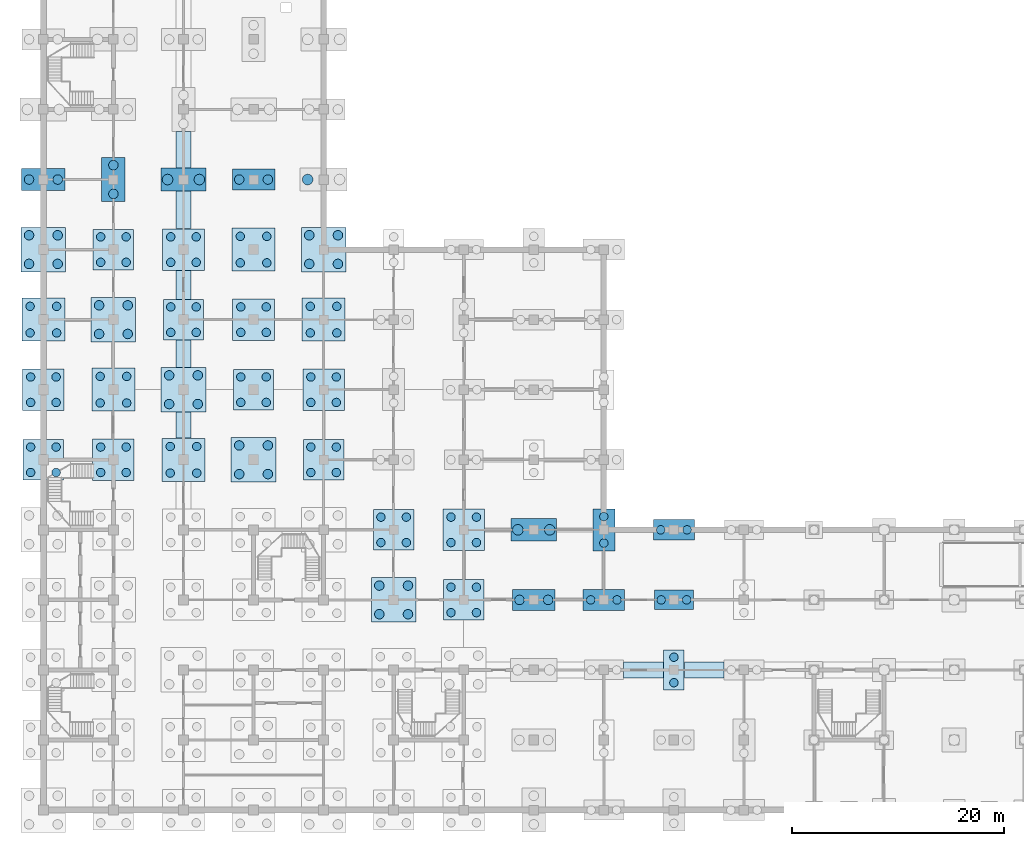
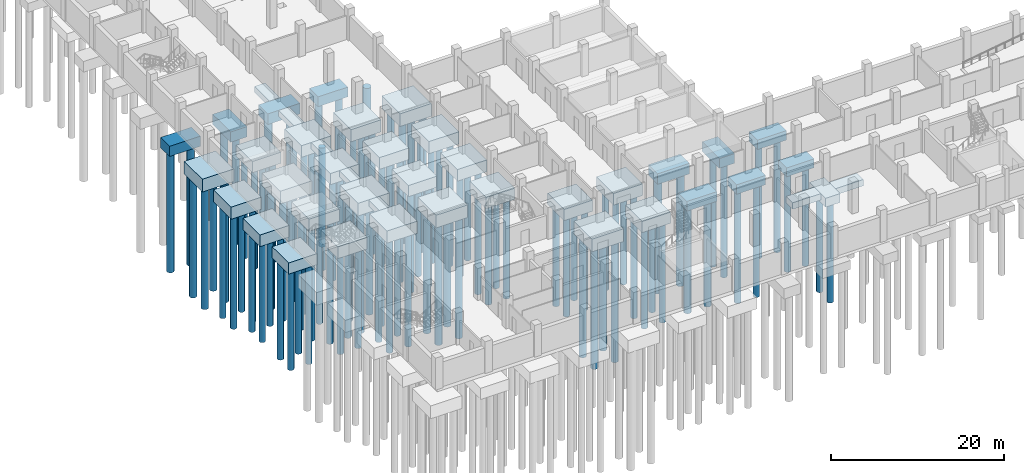
# One storey, part 2 of 18: 119 piles, 42 footings.
"""IFC4 building model written with IfcOpenShell, lengths in metres."""

from ifc_helpers import new_model, si_unit, direction, frame, origin, origin_2d, place, context, subcontext, project, spatial, rectangle, circle, extrude, material, material_profile, profile_set, type_object, element, save


model = new_model("IFC4")

# Units and contexts
model_context = context("Model", 3, precision=1e-05, world=origin(), true_north=direction((0.0, 1.0)))
body_context = subcontext(model_context, "Body", "Model", "MODEL_VIEW")
ifc_project = project(units=[si_unit("LENGTHUNIT", "METRE"), si_unit("AREAUNIT", "SQUARE_METRE"), si_unit("VOLUMEUNIT", "CUBIC_METRE"), si_unit("PLANEANGLEUNIT", "RADIAN"), si_unit("MASSUNIT", "GRAM", prefix="KILO")], contexts=[model_context])

# Site, building, storey
site_placement = place(None, origin())
site = spatial("IfcSite", under=ifc_project, at=site_placement, CompositionType="ELEMENT")
building_placement = place(site_placement, origin())
building = spatial("IfcBuilding", under=site, at=building_placement, Name="Rusizi Kubbe Research Institute", CompositionType="ELEMENT")
storey_placement = place(building_placement, frame((0.0, 0.0, -4.5)))
storey = spatial("IfcBuildingStorey", under=building, at=storey_placement, Name="B01", CompositionType="ELEMENT", Elevation=-4.5)

# Piles
ifc_material_1 = material(Name="Concrete C40/50", Category="concrete")
ifc_material_profile_1 = material_profile(ifc_material_1, circle(Radius=0.39990234375, at=origin_2d()), Name="PILE-D800")
ifc_profile_set_1 = profile_set([ifc_material_profile_1], Name="Concrete C40/50")
pile_type_1 = type_object("IfcPileType", Name="P-01", PredefinedType="BORED", material=ifc_profile_set_1)
for number, where, z_axis, x_axis, name in (
    (1, (-1.199951171875, 31.800048828125, -2.280029296875), (0.0, 0.0, -1.0), (1.0, 0.0, 0.0), "Bored Pile P-01 (0,5)-1"),
    (2, (1.199951171875, 31.800048828125, -2.280029296875), (0.0, 0.0, -1.0), (1.0, 0.0, 0.0), "Bored Pile P-01 (0,5)-2"),
    (3, (-1.199951171875, 34.199951171875, -2.280029296875), (0.0, 0.0, -1.0), (1.0, 0.0, 0.0), "Bored Pile P-01 (0,5)-3"),
    (4, (1.199951171875, 34.199951171875, -2.280029296875), (0.0, 0.0, -1.0), (1.0, 0.0, 0.0), "Bored Pile P-01 (0,5)-4"),
    (5, (-1.199951171875, 38.39990234375, -2.35009765625), (0.0, 0.0, -1.0), (1.0, 0.0, 0.0), "Bored Pile P-01 (0,6)-1"),
    (6, (1.199951171875, 38.39990234375, -2.35009765625), (0.0, 0.0, -1.0), (1.0, 0.0, 0.0), "Bored Pile P-01 (0,6)-2"),
    (7, (-1.199951171875, 40.800048828125, -2.35009765625), (0.0, 0.0, -1.0), (1.0, 0.0, 0.0), "Bored Pile P-01 (0,6)-3"),
    (8, (1.199951171875, 40.800048828125, -2.35009765625), (0.0, 0.0, -1.0), (1.0, 0.0, 0.0), "Bored Pile P-01 (0,6)-4"),
    (9, (5.39990234375, 31.800048828125, -2.35009765625), (0.0, 0.0, -1.0), (1.0, 0.0, 0.0), "Bored Pile P-01 (1,5)-1"),
    (10, (7.800048828125, 31.800048828125, -2.35009765625), (0.0, 0.0, -1.0), (1.0, 0.0, 0.0), "Bored Pile P-01 (1,5)-2"),
    (11, (5.39990234375, 34.199951171875, -2.35009765625), (0.0, 0.0, -1.0), (1.0, 0.0, 0.0), "Bored Pile P-01 (1,5)-3"),
    (12, (7.800048828125, 34.199951171875, -2.35009765625), (0.0, 0.0, -1.0), (1.0, 0.0, 0.0), "Bored Pile P-01 (1,5)-4"),
    (13, (5.39990234375, 51.60009765625, -2.280029296875), (0.0, 0.0, -1.0), (1.0, 0.0, 0.0), "Bored Pile P-01 (1,8)-1"),
    (14, (7.800048828125, 51.60009765625, -2.280029296875), (0.0, 0.0, -1.0), (1.0, 0.0, 0.0), "Bored Pile P-01 (1,8)-2"),
    (15, (5.39990234375, 54.0, -2.280029296875), (0.0, 0.0, -1.0), (1.0, 0.0, 0.0), "Bored Pile P-01 (1,8)-3"),
    (16, (7.800048828125, 54.0, -2.280029296875), (0.0, 0.0, -1.0), (1.0, 0.0, 0.0), "Bored Pile P-01 (1,8)-4"),
    (17, (12.0, 45.0, -2.280029296875), (0.0, 0.0, -1.0), (1.0, 0.0, 0.0), "Bored Pile P-01 (2,7)-1"),
    (18, (14.39990234375, 45.0, -2.280029296875), (0.0, 0.0, -1.0), (1.0, 0.0, 0.0), "Bored Pile P-01 (2,7)-2"),
    (19, (12.0, 47.39990234375, -2.280029296875), (0.0, 0.0, -1.0), (1.0, 0.0, 0.0), "Bored Pile P-01 (2,7)-3"),
    (20, (14.39990234375, 47.39990234375, -2.280029296875), (0.0, 0.0, -1.0), (1.0, 0.0, 0.0), "Bored Pile P-01 (2,7)-4"),
    (21, (12.0, 51.60009765625, -2.35009765625), (0.0, 0.0, -1.0), (1.0, 0.0, 0.0), "Bored Pile P-01 (2,8)-1"),
    (22, (14.39990234375, 51.60009765625, -2.35009765625), (0.0, 0.0, -1.0), (1.0, 0.0, 0.0), "Bored Pile P-01 (2,8)-2"),
    (23, (12.0, 54.0, -2.35009765625), (0.0, 0.0, -1.0), (1.0, 0.0, 0.0), "Bored Pile P-01 (2,8)-3"),
    (24, (14.39990234375, 54.0, -2.35009765625), (0.0, 0.0, -1.0), (1.0, 0.0, 0.0), "Bored Pile P-01 (2,8)-4"),
    (25, (18.60009765625, 38.39990234375, -2.280029296875), (0.0, 0.0, -1.0), (1.0, 0.0, 0.0), "Bored Pile P-01 (3,6)-1"),
    (26, (21.0, 38.39990234375, -2.280029296875), (0.0, 0.0, -1.0), (1.0, 0.0, 0.0), "Bored Pile P-01 (3,6)-2"),
    (27, (18.60009765625, 40.800048828125, -2.280029296875), (0.0, 0.0, -1.0), (1.0, 0.0, 0.0), "Bored Pile P-01 (3,6)-3"),
    (28, (21.0, 40.800048828125, -2.280029296875), (0.0, 0.0, -1.0), (1.0, 0.0, 0.0), "Bored Pile P-01 (3,6)-4"),
    (29, (18.60009765625, 45.0, -2.35009765625), (0.0, 0.0, -1.0), (1.0, 0.0, 0.0), "Bored Pile P-01 (3,7)-1"),
    (30, (21.0, 45.0, -2.35009765625), (0.0, 0.0, -1.0), (1.0, 0.0, 0.0), "Bored Pile P-01 (3,7)-2"),
    (31, (18.60009765625, 47.39990234375, -2.35009765625), (0.0, 0.0, -1.0), (1.0, 0.0, 0.0), "Bored Pile P-01 (3,7)-3"),
    (32, (21.0, 47.39990234375, -2.35009765625), (0.0, 0.0, -1.0), (1.0, 0.0, 0.0), "Bored Pile P-01 (3,7)-4"),
    (33, (25.199951171875, 31.800048828125, -2.280029296875), (0.0, 0.0, -1.0), (1.0, 0.0, 0.0), "Bored Pile P-01 (4,5)-1"),
    (34, (27.60009765625, 31.800048828125, -2.280029296875), (0.0, 0.0, -1.0), (1.0, 0.0, 0.0), "Bored Pile P-01 (4,5)-2"),
    (35, (25.199951171875, 34.199951171875, -2.280029296875), (0.0, 0.0, -1.0), (1.0, 0.0, 0.0), "Bored Pile P-01 (4,5)-3"),
    (36, (27.60009765625, 34.199951171875, -2.280029296875), (0.0, 0.0, -1.0), (1.0, 0.0, 0.0), "Bored Pile P-01 (4,5)-4"),
    (37, (25.199951171875, 38.39990234375, -2.35009765625), (0.0, 0.0, -1.0), (1.0, 0.0, 0.0), "Bored Pile P-01 (4,6)-1"),
    (38, (27.60009765625, 38.39990234375, -2.35009765625), (0.0, 0.0, -1.0), (1.0, 0.0, 0.0), "Bored Pile P-01 (4,6)-2"),
    (39, (25.199951171875, 40.800048828125, -2.35009765625), (0.0, 0.0, -1.0), (1.0, 0.0, 0.0), "Bored Pile P-01 (4,6)-3"),
    (40, (27.60009765625, 40.800048828125, -2.35009765625), (0.0, 0.0, -1.0), (1.0, 0.0, 0.0), "Bored Pile P-01 (4,6)-4"),
    (41, (31.800048828125, 25.199951171875, -2.280029296875), (0.0, 0.0, -1.0), (1.0, 0.0, 0.0), "Bored Pile P-01 (5,4)-1"),
    (42, (34.199951171875, 25.199951171875, -2.280029296875), (0.0, 0.0, -1.0), (1.0, 0.0, 0.0), "Bored Pile P-01 (5,4)-2"),
    (43, (31.800048828125, 27.60009765625, -2.280029296875), (0.0, 0.0, -1.0), (1.0, 0.0, 0.0), "Bored Pile P-01 (5,4)-3"),
    (44, (34.199951171875, 27.60009765625, -2.280029296875), (0.0, 0.0, -1.0), (1.0, 0.0, 0.0), "Bored Pile P-01 (5,4)-4"),
    (45, (38.39990234375, 18.60009765625, -2.280029296875), (0.0, 0.0, -1.0), (1.0, 0.0, 0.0), "Bored Pile P-01 (6,3)-1"),
    (46, (40.800048828125, 18.60009765625, -2.280029296875), (0.0, 0.0, -1.0), (1.0, 0.0, 0.0), "Bored Pile P-01 (6,3)-2"),
    (47, (38.39990234375, 21.0, -2.280029296875), (0.0, 0.0, -1.0), (1.0, 0.0, 0.0), "Bored Pile P-01 (6,3)-3"),
    (48, (40.800048828125, 21.0, -2.280029296875), (0.0, 0.0, -1.0), (1.0, 0.0, 0.0), "Bored Pile P-01 (6,3)-4"),
    (49, (38.39990234375, 25.199951171875, -2.35009765625), (0.0, 0.0, -1.0), (1.0, 0.0, 0.0), "Bored Pile P-01 (6,4)-1"),
    (50, (40.800048828125, 25.199951171875, -2.35009765625), (0.0, 0.0, -1.0), (1.0, 0.0, 0.0), "Bored Pile P-01 (6,4)-2"),
    (51, (38.39990234375, 27.60009765625, -2.35009765625), (0.0, 0.0, -1.0), (1.0, 0.0, 0.0), "Bored Pile P-01 (6,4)-3"),
    (52, (40.800048828125, 27.60009765625, -2.35009765625), (0.0, 0.0, -1.0), (1.0, 0.0, 0.0), "Bored Pile P-01 (6,4)-4"),
    (53, (59.39990234375, 12.0, -1.9599609375), (0.0, 0.0, -1.0), (1.0, 0.0, 0.0), "Bored Pile P-01 (9,2)-1"),
    (54, (59.39990234375, 14.39990234375, -1.9599609375), (0.0, 0.0, -1.0), (1.0, 0.0, 0.0), "Bored Pile P-01 (9,2)-2"),
    (55, (58.199951171875, 19.800048828125, -1.93994140625), (0.0, 0.0, -1.0), (1.0, 0.0, 0.0), "Bored Pile P-01 (9,3)-1"),
    (56, (60.60009765625, 19.800048828125, -1.93994140625), (0.0, 0.0, -1.0), (1.0, 0.0, 0.0), "Bored Pile P-01 (9,3)-2"),
):
    element("IfcPile", number, at=place(storey_placement, frame(where, z_axis=z_axis, x_axis=x_axis)), inside=storey, type_object=pile_type_1, Name=name, PredefinedType="BORED", context=body_context, shape_type="SweptSolid", body=[
        extrude(circle(Radius=0.39990234375, at=origin_2d()), origin(), (0.0, 0.0, 1.0), 14.0),
    ])
ifc_material_2 = material(Name="Concrete C40/50", Category="concrete")
ifc_material_profile_2 = material_profile(ifc_material_2, circle(Radius=0.39990234375, at=origin_2d()), Name="PILE-D800")
ifc_profile_set_2 = profile_set([ifc_material_profile_2], Name="Concrete C40/50")
pile_type_2 = type_object("IfcPileType", Name="P-02", PredefinedType="BORED", material=ifc_profile_set_2)
for number, where, z_axis, x_axis, name in (
    (57, (-1.25, 44.949951171875, -2.419921875), (0.0, 0.0, -1.0), (1.0, 0.0, 0.0), "Bored Pile P-02 (0,7)-1"),
    (58, (1.25, 44.949951171875, -2.419921875), (0.0, 0.0, -1.0), (1.0, 0.0, 0.0), "Bored Pile P-02 (0,7)-2"),
    (59, (-1.25, 47.449951171875, -2.419921875), (0.0, 0.0, -1.0), (1.0, 0.0, 0.0), "Bored Pile P-02 (0,7)-3"),
    (60, (1.25, 47.449951171875, -2.419921875), (0.0, 0.0, -1.0), (1.0, 0.0, 0.0), "Bored Pile P-02 (0,7)-4"),
    (61, (5.35009765625, 38.35009765625, -2.419921875), (0.0, 0.0, -1.0), (1.0, 0.0, 0.0), "Bored Pile P-02 (1,6)-1"),
    (62, (7.85009765625, 38.35009765625, -2.419921875), (0.0, 0.0, -1.0), (1.0, 0.0, 0.0), "Bored Pile P-02 (1,6)-2"),
    (63, (5.35009765625, 40.85009765625, -2.419921875), (0.0, 0.0, -1.0), (1.0, 0.0, 0.0), "Bored Pile P-02 (1,6)-3"),
    (64, (7.85009765625, 40.85009765625, -2.419921875), (0.0, 0.0, -1.0), (1.0, 0.0, 0.0), "Bored Pile P-02 (1,6)-4"),
    (65, (11.949951171875, 31.75, -2.419921875), (0.0, 0.0, -1.0), (1.0, 0.0, 0.0), "Bored Pile P-02 (2,5)-1"),
    (66, (14.449951171875, 31.75, -2.419921875), (0.0, 0.0, -1.0), (1.0, 0.0, 0.0), "Bored Pile P-02 (2,5)-2"),
    (67, (11.949951171875, 34.25, -2.419921875), (0.0, 0.0, -1.0), (1.0, 0.0, 0.0), "Bored Pile P-02 (2,5)-3"),
    (68, (14.449951171875, 34.25, -2.419921875), (0.0, 0.0, -1.0), (1.0, 0.0, 0.0), "Bored Pile P-02 (2,5)-4"),
    (69, (18.550048828125, 51.550048828125, -2.419921875), (0.0, 0.0, -1.0), (1.0, 0.0, 0.0), "Bored Pile P-02 (3,8)-1"),
    (70, (21.050048828125, 51.550048828125, -2.419921875), (0.0, 0.0, -1.0), (1.0, 0.0, 0.0), "Bored Pile P-02 (3,8)-2"),
    (71, (18.550048828125, 54.050048828125, -2.419921875), (0.0, 0.0, -1.0), (1.0, 0.0, 0.0), "Bored Pile P-02 (3,8)-3"),
    (72, (21.050048828125, 54.050048828125, -2.419921875), (0.0, 0.0, -1.0), (1.0, 0.0, 0.0), "Bored Pile P-02 (3,8)-4"),
    (73, (25.14990234375, 44.949951171875, -2.419921875), (0.0, 0.0, -1.0), (1.0, 0.0, 0.0), "Bored Pile P-02 (4,7)-1"),
    (74, (27.64990234375, 44.949951171875, -2.419921875), (0.0, 0.0, -1.0), (1.0, 0.0, 0.0), "Bored Pile P-02 (4,7)-2"),
    (75, (25.14990234375, 47.449951171875, -2.419921875), (0.0, 0.0, -1.0), (1.0, 0.0, 0.0), "Bored Pile P-02 (4,7)-3"),
    (76, (27.64990234375, 47.449951171875, -2.419921875), (0.0, 0.0, -1.0), (1.0, 0.0, 0.0), "Bored Pile P-02 (4,7)-4"),
    (77, (51.56005859375, 19.800048828125, -2.030029296875), (0.0, 0.0, -1.0), (1.0, 0.0, 0.0), "Bored Pile P-02 (8,3)-1"),
    (78, (54.0400390625, 19.800048828125, -2.030029296875), (0.0, 0.0, -1.0), (1.0, 0.0, 0.0), "Bored Pile P-02 (8,3)-2"),
    (79, (52.800048828125, 25.14990234375, -2.06005859375), (0.0, 0.0, -1.0), (1.0, 0.0, 0.0), "Bored Pile P-02 (8,4)-1"),
    (80, (52.800048828125, 27.64990234375, -2.06005859375), (0.0, 0.0, -1.0), (1.0, 0.0, 0.0), "Bored Pile P-02 (8,4)-2"),
    (81, (58.159912109375, 26.39990234375, -2.030029296875), (0.0, 0.0, -1.0), (1.0, 0.0, 0.0), "Bored Pile P-02 (9,4)-1"),
    (82, (60.639892578125, 26.39990234375, -2.030029296875), (0.0, 0.0, -1.0), (1.0, 0.0, 0.0), "Bored Pile P-02 (9,4)-2"),
):
    element("IfcPile", number, at=place(storey_placement, frame(where, z_axis=z_axis, x_axis=x_axis)), inside=storey, type_object=pile_type_2, Name=name, PredefinedType="BORED", context=body_context, shape_type="SweptSolid", body=[
        extrude(circle(Radius=0.39990234375, at=origin_2d()), origin(), (0.0, 0.0, 1.0), 16.0),
    ])
ifc_material_3 = material(Name="Concrete C40/50", Category="concrete")
ifc_material_profile_3 = material_profile(ifc_material_3, circle(Radius=0.449951171875, at=origin_2d()), Name="PILE-D900")
ifc_profile_set_3 = profile_set([ifc_material_profile_3], Name="Concrete C40/50")
pile_type_3 = type_object("IfcPileType", Name="P-03", PredefinedType="BORED", material=ifc_profile_set_3)
for number, where, z_axis, x_axis, name in (
    (83, (6.60009765625, 58.050048828125, -2.159912109375), (0.0, 0.0, -1.0), (1.0, 0.0, 0.0), "Bored Pile P-03 (1,9)-1"),
    (84, (6.60009765625, 60.75, -2.159912109375), (0.0, 0.0, -1.0), (1.0, 0.0, 0.0), "Bored Pile P-03 (1,9)-2"),
    (85, (18.449951171875, 59.39990234375, -2.080078125), (0.0, 0.0, -1.0), (1.0, 0.0, 0.0), "Bored Pile P-03 (3,9)-1"),
    (86, (21.14990234375, 59.39990234375, -2.080078125), (0.0, 0.0, -1.0), (1.0, 0.0, 0.0), "Bored Pile P-03 (3,9)-2"),
    (87, (44.85009765625, 19.800048828125, -2.080078125), (0.0, 0.0, -1.0), (1.0, 0.0, 0.0), "Bored Pile P-03 (7,3)-1"),
    (88, (47.550048828125, 19.800048828125, -2.080078125), (0.0, 0.0, -1.0), (1.0, 0.0, 0.0), "Bored Pile P-03 (7,3)-2"),
):
    element("IfcPile", number, at=place(storey_placement, frame(where, z_axis=z_axis, x_axis=x_axis)), inside=storey, type_object=pile_type_3, Name=name, PredefinedType="BORED", context=body_context, shape_type="SweptSolid", body=[
        extrude(circle(Radius=0.449951171875, at=origin_2d()), origin(), (0.0, 0.0, 1.0), 15.0),
    ])
ifc_material_4 = material(Name="Concrete C40/50", Category="concrete")
ifc_material_profile_4 = material_profile(ifc_material_4, circle(Radius=0.449951171875, at=origin_2d()), Name="PILE-D900")
ifc_profile_set_4 = profile_set([ifc_material_profile_4], Name="Concrete C40/50")
pile_type_4 = type_object("IfcPileType", Name="P-04", PredefinedType="BORED", material=ifc_profile_set_4)
for number, where, z_axis, x_axis, name in (
    (89, (-1.35009765625, 51.449951171875, -2.5), (0.0, 0.0, -1.0), (1.0, 0.0, 0.0), "Bored Pile P-04 (0,8)-1"),
    (90, (1.35009765625, 51.449951171875, -2.5), (0.0, 0.0, -1.0), (1.0, 0.0, 0.0), "Bored Pile P-04 (0,8)-2"),
    (91, (-1.35009765625, 54.14990234375, -2.5), (0.0, 0.0, -1.0), (1.0, 0.0, 0.0), "Bored Pile P-04 (0,8)-3"),
    (92, (1.35009765625, 54.14990234375, -2.5), (0.0, 0.0, -1.0), (1.0, 0.0, 0.0), "Bored Pile P-04 (0,8)-4"),
    (93, (-1.35009765625, 59.39990234375, -2.139892578125), (0.0, 0.0, -1.0), (1.0, 0.0, 0.0), "Bored Pile P-04 (0,9)-1"),
    (94, (1.35009765625, 59.39990234375, -2.139892578125), (0.0, 0.0, -1.0), (1.0, 0.0, 0.0), "Bored Pile P-04 (0,9)-2"),
    (95, (5.25, 44.85009765625, -2.5), (0.0, 0.0, -1.0), (1.0, 0.0, 0.0), "Bored Pile P-04 (1,7)-1"),
    (96, (7.949951171875, 44.85009765625, -2.5), (0.0, 0.0, -1.0), (1.0, 0.0, 0.0), "Bored Pile P-04 (1,7)-2"),
    (97, (5.25, 47.550048828125, -2.5), (0.0, 0.0, -1.0), (1.0, 0.0, 0.0), "Bored Pile P-04 (1,7)-3"),
    (98, (7.949951171875, 47.550048828125, -2.5), (0.0, 0.0, -1.0), (1.0, 0.0, 0.0), "Bored Pile P-04 (1,7)-4"),
    (99, (11.85009765625, 38.25, -2.5), (0.0, 0.0, -1.0), (1.0, 0.0, 0.0), "Bored Pile P-04 (2,6)-1"),
    (100, (14.550048828125, 38.25, -2.5), (0.0, 0.0, -1.0), (1.0, 0.0, 0.0), "Bored Pile P-04 (2,6)-2"),
    (101, (11.85009765625, 40.949951171875, -2.5), (0.0, 0.0, -1.0), (1.0, 0.0, 0.0), "Bored Pile P-04 (2,6)-3"),
    (102, (14.550048828125, 40.949951171875, -2.5), (0.0, 0.0, -1.0), (1.0, 0.0, 0.0), "Bored Pile P-04 (2,6)-4"),
    (103, (18.449951171875, 31.64990234375, -2.5), (0.0, 0.0, -1.0), (1.0, 0.0, 0.0), "Bored Pile P-04 (3,5)-1"),
    (104, (21.14990234375, 31.64990234375, -2.5), (0.0, 0.0, -1.0), (1.0, 0.0, 0.0), "Bored Pile P-04 (3,5)-2"),
    (105, (18.449951171875, 34.35009765625, -2.5), (0.0, 0.0, -1.0), (1.0, 0.0, 0.0), "Bored Pile P-04 (3,5)-3"),
    (106, (21.14990234375, 34.35009765625, -2.5), (0.0, 0.0, -1.0), (1.0, 0.0, 0.0), "Bored Pile P-04 (3,5)-4"),
    (107, (25.050048828125, 51.449951171875, -2.5), (0.0, 0.0, -1.0), (1.0, 0.0, 0.0), "Bored Pile P-04 (4,8)-1"),
    (108, (27.75, 51.449951171875, -2.5), (0.0, 0.0, -1.0), (1.0, 0.0, 0.0), "Bored Pile P-04 (4,8)-2"),
    (109, (25.050048828125, 54.14990234375, -2.5), (0.0, 0.0, -1.0), (1.0, 0.0, 0.0), "Bored Pile P-04 (4,8)-3"),
    (110, (27.75, 54.14990234375, -2.5), (0.0, 0.0, -1.0), (1.0, 0.0, 0.0), "Bored Pile P-04 (4,8)-4"),
    (111, (31.64990234375, 18.449951171875, -2.5), (0.0, 0.0, -1.0), (1.0, 0.0, 0.0), "Bored Pile P-04 (5,3)-1"),
    (112, (34.35009765625, 18.449951171875, -2.5), (0.0, 0.0, -1.0), (1.0, 0.0, 0.0), "Bored Pile P-04 (5,3)-2"),
    (113, (31.64990234375, 21.14990234375, -2.5), (0.0, 0.0, -1.0), (1.0, 0.0, 0.0), "Bored Pile P-04 (5,3)-3"),
    (114, (34.35009765625, 21.14990234375, -2.5), (0.0, 0.0, -1.0), (1.0, 0.0, 0.0), "Bored Pile P-04 (5,3)-4"),
):
    element("IfcPile", number, at=place(storey_placement, frame(where, z_axis=z_axis, x_axis=x_axis)), inside=storey, type_object=pile_type_4, Name=name, PredefinedType="BORED", context=body_context, shape_type="SweptSolid", body=[
        extrude(circle(Radius=0.449951171875, at=origin_2d()), origin(), (0.0, 0.0, 1.0), 17.0),
    ])
ifc_material_5 = material(Name="Concrete C40/50", Category="concrete")
ifc_material_profile_5 = material_profile(ifc_material_5, circle(Radius=0.5, at=origin_2d()), Name="PILE-D1000")
ifc_profile_set_5 = profile_set([ifc_material_profile_5], Name="Concrete C40/50")
pile_type_5 = type_object("IfcPileType", Name="P-05", PredefinedType="BORED", material=ifc_profile_set_5)
for number, where, z_axis, x_axis, name in (
    (115, (11.699951171875, 59.39990234375, -2.199951171875), (0.0, 0.0, -1.0), (1.0, 0.0, 0.0), "Bored Pile P-05 (2,9)-1"),
    (116, (14.699951171875, 59.39990234375, -2.199951171875), (0.0, 0.0, -1.0), (1.0, 0.0, 0.0), "Bored Pile P-05 (2,9)-2"),
    (117, (44.699951171875, 26.39990234375, -2.199951171875), (0.0, 0.0, -1.0), (1.0, 0.0, 0.0), "Bored Pile P-05 (7,4)-1"),
    (118, (47.699951171875, 26.39990234375, -2.199951171875), (0.0, 0.0, -1.0), (1.0, 0.0, 0.0), "Bored Pile P-05 (7,4)-2"),
):
    element("IfcPile", number, at=place(storey_placement, frame(where, z_axis=z_axis, x_axis=x_axis)), inside=storey, type_object=pile_type_5, Name=name, PredefinedType="BORED", context=body_context, shape_type="SweptSolid", body=[
        extrude(circle(Radius=0.5, at=origin_2d()), origin(), (0.0, 0.0, 1.0), 16.0),
    ])
ifc_material_6 = material(Name="Concrete C40/50", Category="concrete")
ifc_material_profile_6 = material_profile(ifc_material_6, circle(Radius=0.5, at=origin_2d()), Name="PILE-D1000")
ifc_profile_set_6 = profile_set([ifc_material_profile_6], Name="Concrete C40/50")
pile_type_6 = type_object("IfcPileType", Name="P-06", PredefinedType="BORED", material=ifc_profile_set_6)
pile_placement = place(storey_placement, frame((24.89990234375, 59.39990234375, -2.25), z_axis=(0.0, 0.0, -1.0), x_axis=(1.0, 0.0, 0.0)))
element("IfcPile", 119, at=pile_placement, inside=storey, type_object=pile_type_6, Name="Bored Pile P-06 (4,9)-1", PredefinedType="BORED", context=body_context, shape_type="SweptSolid", body=[
    extrude(circle(Radius=0.5, at=origin_2d()), origin(), (0.0, 0.0, 1.0), 18.0),
])

# Footings
ifc_material_7 = material(Name="Concrete C40/50", Category="concrete")
footing_type_1 = type_object("IfcFootingType", Name="PC-01", PredefinedType="PILE_CAP", material=ifc_material_7)
for number, where, z_axis, x_axis, name in (
    (120, (0.0, 52.800048828125, -2.5), (0.0, 0.0, 1.0), (1.0, 0.0, 0.0), "Pile Cap PC-01 (0,8)"),
    (121, (6.60009765625, 46.199951171875, -2.5), (0.0, 0.0, 1.0), (1.0, 0.0, 0.0), "Pile Cap PC-01 (1,7)"),
    (122, (13.199951171875, 39.60009765625, -2.5), (0.0, 0.0, 1.0), (1.0, 0.0, 0.0), "Pile Cap PC-01 (2,6)"),
    (123, (19.800048828125, 33.0, -2.5), (0.0, 0.0, 1.0), (1.0, 0.0, 0.0), "Pile Cap PC-01 (3,5)"),
    (124, (26.39990234375, 52.800048828125, -2.5), (0.0, 0.0, 1.0), (1.0, 0.0, 0.0), "Pile Cap PC-01 (4,8)"),
    (125, (33.0, 19.800048828125, -2.5), (0.0, 0.0, 1.0), (1.0, 0.0, 0.0), "Pile Cap PC-01 (5,3)"),
):
    element("IfcFooting", number, at=place(storey_placement, frame(where, z_axis=z_axis, x_axis=x_axis)), inside=storey, type_object=footing_type_1, Name=name, PredefinedType="PILE_CAP", context=body_context, shape_type="SweptSolid", body=[
        extrude(rectangle(XDim=4.199951171875, YDim=4.199951171875, at=origin_2d()), origin(), (0.0, 0.0, 1.0), 1.800048828125),
    ])
ifc_material_8 = material(Name="Concrete C40/50", Category="concrete")
footing_type_2 = type_object("IfcFootingType", Name="PC-02", PredefinedType="PILE_CAP", material=ifc_material_8)
for number, where, z_axis, x_axis, name in (
    (126, (0.0, 46.199951171875, -2.419921875), (0.0, 0.0, 1.0), (1.0, 0.0, 0.0), "Pile Cap PC-02 (0,7)"),
    (127, (6.60009765625, 39.60009765625, -2.419921875), (0.0, 0.0, 1.0), (1.0, 0.0, 0.0), "Pile Cap PC-02 (1,6)"),
    (128, (13.199951171875, 33.0, -2.419921875), (0.0, 0.0, 1.0), (1.0, 0.0, 0.0), "Pile Cap PC-02 (2,5)"),
    (129, (19.800048828125, 52.800048828125, -2.419921875), (0.0, 0.0, 1.0), (1.0, 0.0, 0.0), "Pile Cap PC-02 (3,8)"),
    (130, (26.39990234375, 46.199951171875, -2.419921875), (0.0, 0.0, 1.0), (1.0, 0.0, 0.0), "Pile Cap PC-02 (4,7)"),
):
    element("IfcFooting", number, at=place(storey_placement, frame(where, z_axis=z_axis, x_axis=x_axis)), inside=storey, type_object=footing_type_2, Name=name, PredefinedType="PILE_CAP", context=body_context, shape_type="SweptSolid", body=[
        extrude(rectangle(XDim=4.050048828125, YDim=4.050048828125, at=origin_2d()), origin(), (0.0, 0.0, 1.0), 1.719970703125),
    ])
ifc_material_9 = material(Name="Concrete C40/50", Category="concrete")
footing_type_3 = type_object("IfcFootingType", Name="PC-03", PredefinedType="PILE_CAP", material=ifc_material_9)
for number, where, z_axis, x_axis, name in (
    (131, (0.0, 39.60009765625, -2.349853515625), (0.0, 0.0, 1.0), (1.0, 0.0, 0.0), "Pile Cap PC-03 (0,6)"),
    (132, (6.60009765625, 33.0, -2.349853515625), (0.0, 0.0, 1.0), (1.0, 0.0, 0.0), "Pile Cap PC-03 (1,5)"),
    (133, (13.199951171875, 52.800048828125, -2.349853515625), (0.0, 0.0, 1.0), (1.0, 0.0, 0.0), "Pile Cap PC-03 (2,8)"),
    (134, (19.800048828125, 46.199951171875, -2.349853515625), (0.0, 0.0, 1.0), (1.0, 0.0, 0.0), "Pile Cap PC-03 (3,7)"),
    (135, (26.39990234375, 39.60009765625, -2.349853515625), (0.0, 0.0, 1.0), (1.0, 0.0, 0.0), "Pile Cap PC-03 (4,6)"),
    (136, (39.60009765625, 26.39990234375, -2.349853515625), (0.0, 0.0, 1.0), (1.0, 0.0, 0.0), "Pile Cap PC-03 (6,4)"),
):
    element("IfcFooting", number, at=place(storey_placement, frame(where, z_axis=z_axis, x_axis=x_axis)), inside=storey, type_object=footing_type_3, Name=name, PredefinedType="PILE_CAP", context=body_context, shape_type="SweptSolid", body=[
        extrude(rectangle(XDim=3.919921875, YDim=3.919921875, at=origin_2d()), origin(), (0.0, 0.0, 1.0), 1.64990234375),
    ])
ifc_material_10 = material(Name="Concrete C40/50", Category="concrete")
footing_type_4 = type_object("IfcFootingType", Name="PC-04", PredefinedType="PILE_CAP", material=ifc_material_10)
for number, where, z_axis, x_axis, name in (
    (137, (0.0, 33.0, -2.280029296875), (0.0, 0.0, 1.0), (1.0, 0.0, 0.0), "Pile Cap PC-04 (0,5)"),
    (138, (6.60009765625, 52.800048828125, -2.280029296875), (0.0, 0.0, 1.0), (1.0, 0.0, 0.0), "Pile Cap PC-04 (1,8)"),
    (139, (13.199951171875, 46.199951171875, -2.280029296875), (0.0, 0.0, 1.0), (1.0, 0.0, 0.0), "Pile Cap PC-04 (2,7)"),
    (140, (19.800048828125, 39.60009765625, -2.280029296875), (0.0, 0.0, 1.0), (1.0, 0.0, 0.0), "Pile Cap PC-04 (3,6)"),
    (141, (26.39990234375, 33.0, -2.280029296875), (0.0, 0.0, 1.0), (1.0, 0.0, 0.0), "Pile Cap PC-04 (4,5)"),
    (142, (33.0, 26.39990234375, -2.280029296875), (0.0, 0.0, 1.0), (1.0, 0.0, 0.0), "Pile Cap PC-04 (5,4)"),
    (143, (39.60009765625, 19.800048828125, -2.280029296875), (0.0, 0.0, 1.0), (1.0, 0.0, 0.0), "Pile Cap PC-04 (6,3)"),
):
    element("IfcFooting", number, at=place(storey_placement, frame(where, z_axis=z_axis, x_axis=x_axis)), inside=storey, type_object=footing_type_4, Name=name, PredefinedType="PILE_CAP", context=body_context, shape_type="SweptSolid", body=[
        extrude(rectangle(XDim=3.800048828125, YDim=3.800048828125, at=origin_2d()), origin(), (0.0, 0.0, 1.0), 1.580078125),
    ])
ifc_material_11 = material(Name="Concrete C40/50", Category="concrete")
footing_type_5 = type_object("IfcFootingType", Name="PC-06", PredefinedType="PILE_CAP", material=ifc_material_11)
for number, where, z_axis, x_axis, name in (
    (144, (13.199951171875, 59.39990234375, -2.199951171875), (0.0, 0.0, 1.0), (1.0, 0.0, 0.0), "Pile Cap PC-06 (2,9)"),
    (145, (46.199951171875, 26.39990234375, -2.199951171875), (0.0, 0.0, 1.0), (1.0, 0.0, 0.0), "Pile Cap PC-06 (7,4)"),
):
    element("IfcFooting", number, at=place(storey_placement, frame(where, z_axis=z_axis, x_axis=x_axis)), inside=storey, type_object=footing_type_5, Name=name, PredefinedType="PILE_CAP", context=body_context, shape_type="SweptSolid", body=[
        extrude(rectangle(XDim=4.280029296875, YDim=2.139892578125, at=origin_2d()), origin(), (0.0, 0.0, 1.0), 1.5),
    ])
ifc_material_12 = material(Name="Concrete C40/50", Category="concrete")
footing_type_6 = type_object("IfcFootingType", Name="PC-07", PredefinedType="PILE_CAP", material=ifc_material_12)
footing_1_placement = place(storey_placement, frame((0.0, 59.39990234375, -2.139892578125), z_axis=(0.0, 0.0, 1.0), x_axis=(1.0, 0.0, 0.0)))
element("IfcFooting", 146, at=footing_1_placement, inside=storey, type_object=footing_type_6, Name="Pile Cap PC-07 (0,9)", PredefinedType="PILE_CAP", context=body_context, shape_type="SweptSolid", body=[
    extrude(rectangle(XDim=4.1201171875, YDim=2.080078125, at=origin_2d()), origin(), (0.0, 0.0, 1.0), 1.43994140625),
])
ifc_material_13 = material(Name="Concrete C40/50", Category="concrete")
footing_type_7 = type_object("IfcFootingType", Name="PC-08", PredefinedType="PILE_CAP", material=ifc_material_13)
for number, where, z_axis, x_axis, name in (
    (147, (19.800048828125, 59.39990234375, -2.079833984375), (0.0, 0.0, 1.0), (1.0, 0.0, 0.0), "Pile Cap PC-08 (3,9)"),
    (148, (46.199951171875, 19.800048828125, -2.079833984375), (0.0, 0.0, 1.0), (1.0, 0.0, 0.0), "Pile Cap PC-08 (7,3)"),
):
    element("IfcFooting", number, at=place(storey_placement, frame(where, z_axis=z_axis, x_axis=x_axis)), inside=storey, type_object=footing_type_7, Name=name, PredefinedType="PILE_CAP", context=body_context, shape_type="SweptSolid", body=[
        extrude(rectangle(XDim=4.0, YDim=2.0, at=origin_2d()), origin(), (0.0, 0.0, 1.0), 1.3798828125),
    ])
ifc_material_14 = material(Name="Concrete C40/50", Category="concrete")
footing_type_8 = type_object("IfcFootingType", Name="PC-09", PredefinedType="PILE_CAP", material=ifc_material_14)
for number, where, z_axis, x_axis, name in (
    (149, (52.800048828125, 19.800048828125, -2.030029296875), (0.0, 0.0, 1.0), (1.0, 0.0, 0.0), "Pile Cap PC-09 (8,3)"),
    (150, (59.39990234375, 26.39990234375, -2.030029296875), (0.0, 0.0, 1.0), (1.0, 0.0, 0.0), "Pile Cap PC-09 (9,4)"),
):
    element("IfcFooting", number, at=place(storey_placement, frame(where, z_axis=z_axis, x_axis=x_axis)), inside=storey, type_object=footing_type_8, Name=name, PredefinedType="PILE_CAP", context=body_context, shape_type="SweptSolid", body=[
        extrude(rectangle(XDim=3.8798828125, YDim=1.9599609375, at=origin_2d()), origin(), (0.0, 0.0, 1.0), 1.330078125),
    ])
ifc_material_15 = material(Name="Concrete C40/50", Category="concrete")
footing_type_9 = type_object("IfcFootingType", Name="PC-11", PredefinedType="PILE_CAP", material=ifc_material_15)
footing_2_placement = place(storey_placement, frame((59.39990234375, 19.800048828125, -1.93994140625), z_axis=(0.0, 0.0, 1.0), x_axis=(1.0, 0.0, 0.0)))
element("IfcFooting", 151, at=footing_2_placement, inside=storey, type_object=footing_type_9, Name="Pile Cap PC-11 (9,3)", PredefinedType="PILE_CAP", context=body_context, shape_type="SweptSolid", body=[
    extrude(rectangle(XDim=3.659912109375, YDim=1.840087890625, at=origin_2d()), origin(), (0.0, 0.0, 1.0), 1.239990234375),
])
ifc_material_16 = material(Name="Concrete C40/50", Category="concrete")
footing_type_10 = type_object("IfcFootingType", Name="PC-12", PredefinedType="PILE_CAP", material=ifc_material_16)
footing_3_placement = place(storey_placement, frame((6.60009765625, 59.39990234375, -2.159912109375), z_axis=(0.0, 0.0, 1.0), x_axis=(1.0, 0.0, 0.0)))
element("IfcFooting", 152, at=footing_3_placement, inside=storey, type_object=footing_type_10, Name="Pile Cap PC-12 (1,9)", PredefinedType="PILE_CAP", context=body_context, shape_type="SweptSolid", body=[
    extrude(rectangle(XDim=2.199951171875, YDim=4.159912109375, at=origin_2d()), origin(), (0.0, 0.0, 1.0), 1.4599609375),
])
ifc_material_17 = material(Name="Concrete C40/50", Category="concrete")
footing_type_11 = type_object("IfcFootingType", Name="PC-13", PredefinedType="PILE_CAP", material=ifc_material_17)
footing_4_placement = place(storey_placement, frame((52.800048828125, 26.39990234375, -2.06005859375), z_axis=(0.0, 0.0, 1.0), x_axis=(1.0, 0.0, 0.0)))
element("IfcFooting", 153, at=footing_4_placement, inside=storey, type_object=footing_type_11, Name="Pile Cap PC-13 (8,4)", PredefinedType="PILE_CAP", context=body_context, shape_type="SweptSolid", body=[
    extrude(rectangle(XDim=2.06005859375, YDim=3.9599609375, at=origin_2d()), origin(), (0.0, 0.0, 1.0), 1.360107421875),
])
ifc_material_18 = material(Name="Concrete C40/50", Category="concrete")
footing_type_12 = type_object("IfcFootingType", Name="PC-14", PredefinedType="PILE_CAP", material=ifc_material_18)
footing_5_placement = place(storey_placement, frame((59.39990234375, 13.199951171875, -1.9599609375), z_axis=(0.0, 0.0, 1.0), x_axis=(1.0, 0.0, 0.0)))
element("IfcFooting", 154, at=footing_5_placement, inside=storey, type_object=footing_type_12, Name="Pile Cap PC-14 (9,2)", PredefinedType="PILE_CAP", context=body_context, shape_type="SweptSolid", body=[
    extrude(rectangle(XDim=1.93994140625, YDim=3.739990234375, at=origin_2d()), origin(), (0.0, 0.0, 1.0), 1.260009765625),
])
ifc_material_19 = material(Name="Concrete C40/50", Category="concrete")
footing_type_13 = type_object("IfcFootingType", Name="SF-01", PredefinedType="STRIP_FOOTING", material=ifc_material_19)
footing_6_placement = place(storey_placement, frame((13.199951171875, 36.262451171875, -1.56005859375), z_axis=(0.0, 0.0, 1.0), x_axis=(0.0, 1.0, 0.0)))
element("IfcFooting", 155, at=footing_6_placement, inside=storey, type_object=footing_type_13, Name="Continuous Strip Footing SF-01-02", PredefinedType="STRIP_FOOTING", context=body_context, shape_type="SweptSolid", body=[
    extrude(rectangle(XDim=2.458984375, YDim=1.39990234375, at=origin_2d()), origin(), (0.0, 0.0, 1.0), 0.860107421875),
])
footing_7_placement = place(storey_placement, frame((13.199951171875, 43.0, -1.56005859375), z_axis=(0.0, 0.0, 1.0), x_axis=(0.0, 1.0, 0.0)))
element("IfcFooting", 156, at=footing_7_placement, inside=storey, type_object=footing_type_13, Name="Continuous Strip Footing SF-01-03", PredefinedType="STRIP_FOOTING", context=body_context, shape_type="SweptSolid", body=[
    extrude(rectangle(XDim=2.583984375, YDim=1.39990234375, at=origin_2d()), origin(), (0.0, 0.0, 1.0), 0.860107421875),
])
footing_8_placement = place(storey_placement, frame((13.199951171875, 49.469970703125, -1.56005859375), z_axis=(0.0, 0.0, 1.0), x_axis=(0.0, 1.0, 0.0)))
element("IfcFooting", 157, at=footing_8_placement, inside=storey, type_object=footing_type_13, Name="Continuous Strip Footing SF-01-04", PredefinedType="STRIP_FOOTING", context=body_context, shape_type="SweptSolid", body=[
    extrude(rectangle(XDim=2.72412109375, YDim=1.39990234375, at=origin_2d()), origin(), (0.0, 0.0, 1.0), 0.860107421875),
])
footing_9_placement = place(storey_placement, frame((13.199951171875, 56.544921875, -1.56005859375), z_axis=(0.0, 0.0, 1.0), x_axis=(0.0, 1.0, 0.0)))
element("IfcFooting", 158, at=footing_9_placement, inside=storey, type_object=footing_type_13, Name="Continuous Strip Footing SF-01-05", PredefinedType="STRIP_FOOTING", context=body_context, shape_type="SweptSolid", body=[
    extrude(rectangle(XDim=3.553955078125, YDim=1.39990234375, at=origin_2d()), origin(), (0.0, 0.0, 1.0), 0.860107421875),
])
footing_10_placement = place(storey_placement, frame((13.199951171875, 62.195068359375, -1.56005859375), z_axis=(0.0, 0.0, 1.0), x_axis=(0.0, 1.0, 0.0)))
element("IfcFooting", 159, at=footing_10_placement, inside=storey, type_object=footing_type_13, Name="Continuous Strip Footing SF-01-06", PredefinedType="STRIP_FOOTING", context=body_context, shape_type="SweptSolid", body=[
    extrude(rectangle(XDim=3.43408203125, YDim=1.39990234375, at=origin_2d()), origin(), (0.0, 0.0, 1.0), 0.860107421875),
])
ifc_material_20 = material(Name="Concrete C40/50", Category="concrete")
footing_type_14 = type_object("IfcFootingType", Name="SF-02", PredefinedType="STRIP_FOOTING", material=ifc_material_20)
footing_11_placement = place(storey_placement, frame((56.530029296875, 13.199951171875, -1.599853515625), z_axis=(0.0, 0.0, 1.0), x_axis=(1.0, 0.0, 0.0)))
element("IfcFooting", 160, at=footing_11_placement, inside=storey, type_object=footing_type_14, Name="Continuous Strip Footing SF-02-12", PredefinedType="STRIP_FOOTING", context=body_context, shape_type="SweptSolid", body=[
    extrude(rectangle(XDim=3.783935546875, YDim=1.52001953125, at=origin_2d()), origin(), (0.0, 0.0, 1.0), 0.89990234375),
])
footing_12_placement = place(storey_placement, frame((62.2451171875, 13.199951171875, -1.599853515625), z_axis=(0.0, 0.0, 1.0), x_axis=(1.0, 0.0, 0.0)))
element("IfcFooting", 161, at=footing_12_placement, inside=storey, type_object=footing_type_14, Name="Continuous Strip Footing SF-02-13", PredefinedType="STRIP_FOOTING", context=body_context, shape_type="SweptSolid", body=[
    extrude(rectangle(XDim=3.73388671875, YDim=1.52001953125, at=origin_2d()), origin(), (0.0, 0.0, 1.0), 0.89990234375),
])

save(model, "model.ifc")
